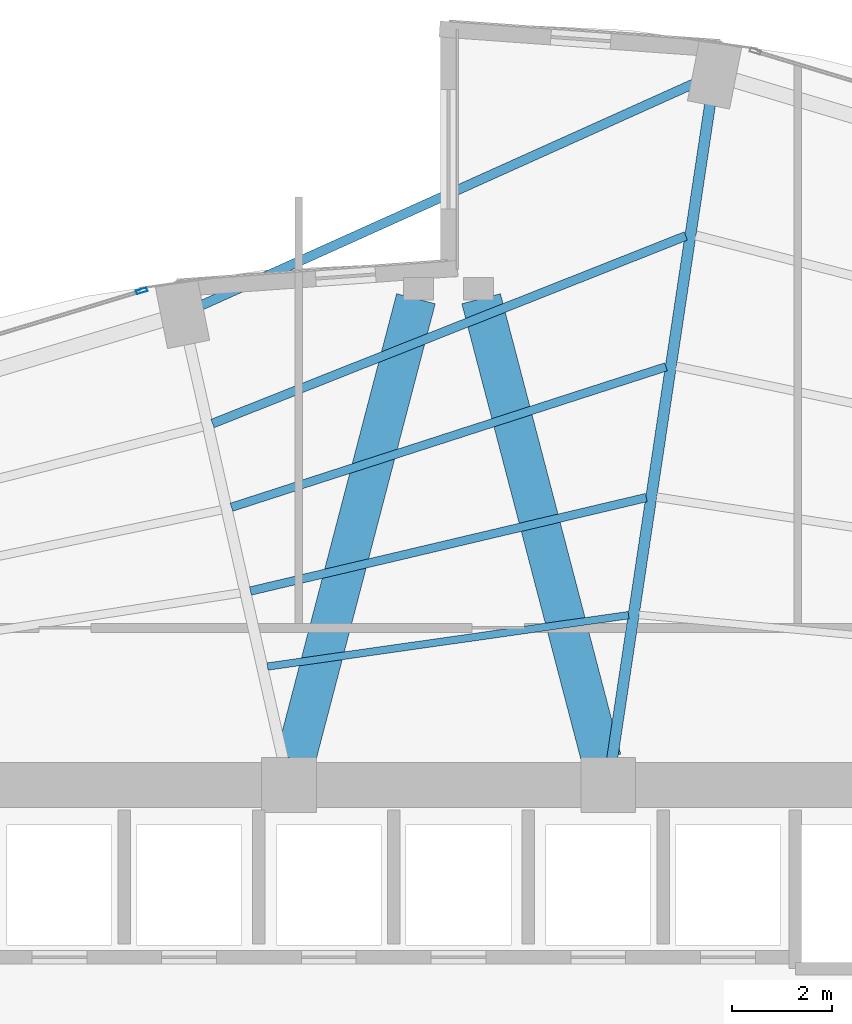
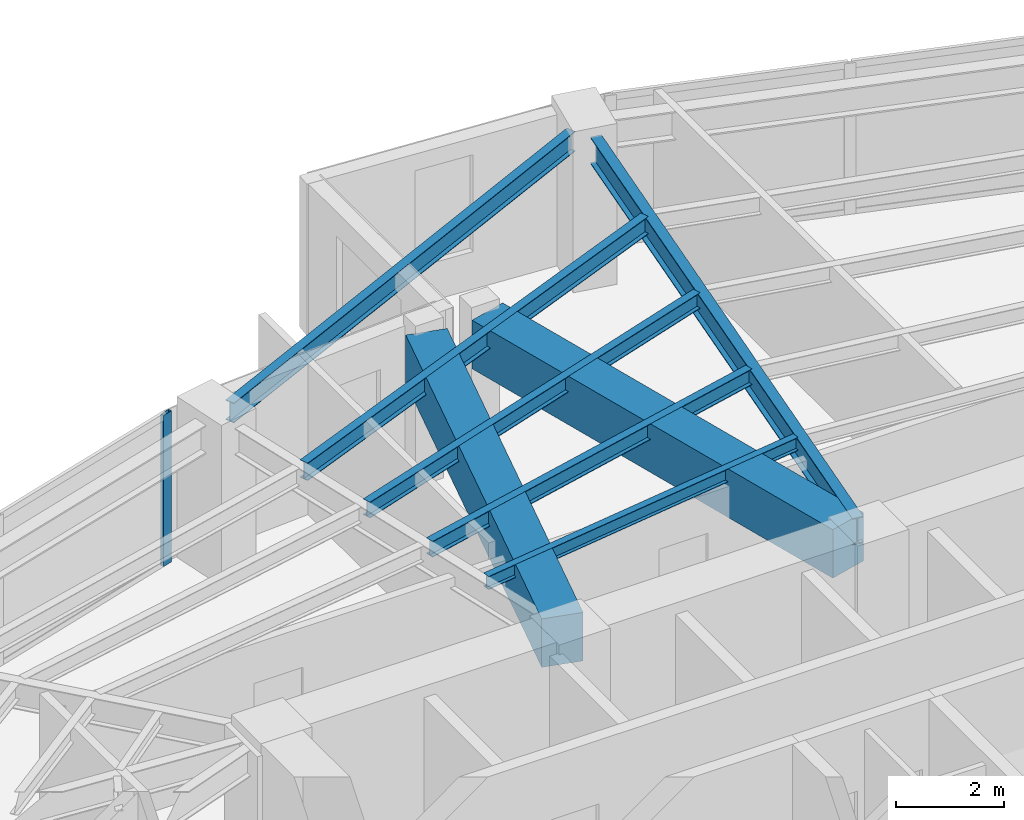
# One storey, part 15 of 24: 8 beams, 1 member, 1 element without a shape of its own.
"""IFC4 building model written with IfcOpenShell, lengths in metres."""

import ifcopenshell
import ifcopenshell.guid

model = None  # the IFC model being written
_history = None  # IfcOwnerHistory: only IFC2X3 demands one
_inside = {}  # id of a spatial element -> (the spatial element, [elements in it])
_under = {}  # id of a project, library or spatial element -> (it, [spatial elements below it])
_declared = {}  # id of a project -> (the project, [libraries it declares])
_typed = {}  # id of a type object -> (the type object, [elements of that type])
_made_of = {}  # id of a material, layer set ... -> (it, [elements and type objects made of it])


def new_model(schema):
    """Start an empty IFC model of exactly this schema.

    Asked for "IFC4X3", IfcOpenShell would pick the latest addendum, in which some entities
    have other attributes; the version numbers below select the first issue.
    IFC2X3 requires an IfcOwnerHistory on every rooted entity: one is made here for all.
    """
    global model, _history
    if schema == "IFC4X3":
        model = ifcopenshell.file(schema_version=(4, 3, 0, 0))
    else:
        model = ifcopenshell.file(schema=schema)
    _inside.clear()
    _under.clear()
    _declared.clear()
    _typed.clear()
    _made_of.clear()
    _history = None
    if model.schema == "IFC2X3":
        org = make("IfcOrganization", Name="unknown")
        user = make(
            "IfcPersonAndOrganization",
            ThePerson=make("IfcPerson", FamilyName="unknown"),
            TheOrganization=org,
        )
        app = make(
            "IfcApplication",
            ApplicationDeveloper=org,
            Version="unknown",
            ApplicationFullName="unknown",
            ApplicationIdentifier="unknown",
        )
        _history = make(
            "IfcOwnerHistory",
            OwningUser=user,
            OwningApplication=app,
            ChangeAction="ADDED",
            CreationDate=0,
        )
    return model


def make(cls, **values):
    """One entity of the class cls with the attributes given. An attribute that is None is left unset."""
    return model.create_entity(
        cls, **{name: value for name, value in values.items() if value is not None}
    )


def rooted(cls, **values):
    """An entity with a GlobalId (a new one), such as an element, a storey or a relation."""
    return make(cls, GlobalId=ifcopenshell.guid.new(), OwnerHistory=_history, **values)


def si_unit(unit_type, name, prefix=None):
    """IfcSIUnit, for example si_unit("LENGTHUNIT", "METRE", prefix="MILLI")."""
    return make("IfcSIUnit", UnitType=unit_type, Prefix=prefix, Name=name)


def assignment(units):
    """IfcUnitAssignment: the units of a project."""
    return None if units is None else make("IfcUnitAssignment", Units=units)


def point(xyz):
    """IfcCartesianPoint."""
    return None if xyz is None else make("IfcCartesianPoint", Coordinates=xyz)


def direction(xyz):
    """IfcDirection."""
    return None if xyz is None else make("IfcDirection", DirectionRatios=xyz)


def frame(location, z_axis=None, x_axis=None):
    """IfcAxis2Placement3D, a coordinate frame: its origin and axes. An axis left out is left unset."""
    return make(
        "IfcAxis2Placement3D",
        Location=point(location),
        Axis=direction(z_axis),
        RefDirection=direction(x_axis),
    )


def frame_2d(location, x_axis=None):
    """IfcAxis2Placement2D, a coordinate frame in the plane: its origin and x axis."""
    return make(
        "IfcAxis2Placement2D", Location=point(location), RefDirection=direction(x_axis)
    )


def origin():
    """The frame at (0, 0, 0) with its axes left unset."""
    return frame((0.0, 0.0, 0.0))


def origin_2d():
    """The frame at (0, 0) in the plane with its x axis left unset."""
    return frame_2d((0.0, 0.0))


def place(relative_to, where):
    """IfcLocalPlacement: puts the frame where relative to a parent placement (None: the world)."""
    return make(
        "IfcLocalPlacement", PlacementRelTo=relative_to, RelativePlacement=where
    )


def context(
    kind, dimensions, precision=None, world=None, true_north=None, identifier=None
):
    """IfcGeometricRepresentationContext, for example the 3D "Model" context."""
    return make(
        "IfcGeometricRepresentationContext",
        ContextIdentifier=identifier,
        ContextType=kind,
        CoordinateSpaceDimension=dimensions,
        Precision=precision,
        WorldCoordinateSystem=world,
        TrueNorth=true_north,
    )


def subcontext(parent, identifier, kind, view, scale=None):
    """IfcGeometricRepresentationSubContext, for example "Body" below "Model"."""
    return make(
        "IfcGeometricRepresentationSubContext",
        ContextIdentifier=identifier,
        ContextType=kind,
        ParentContext=parent,
        TargetScale=scale,
        TargetView=view,
    )


def project(units=None, contexts=None):
    """IfcProject with its units and contexts."""
    return rooted(
        "IfcProject",
        Name="project",
        RepresentationContexts=contexts,
        UnitsInContext=assignment(units),
    )


def spatial(cls, under=None, at=None, **own):
    """A site, building, storey or space (cls), placed at a placement, below another one or the project."""
    s = rooted(cls, ObjectPlacement=at, **own)
    if under is not None:
        _under.setdefault(under.id(), (under, []))[1].append(s)
    return s


def profile(cls, at=None, kind="AREA", **sizes):
    """A parametric profile (cls). Its sizes go by their IFC names, for example OverallWidth=200.0."""
    return make(cls, ProfileType=kind, Position=at, **sizes)


def rectangle(**sizes):
    """IfcRectangleProfileDef."""
    return profile("IfcRectangleProfileDef", **sizes)


def hollow_rectangle(**sizes):
    """IfcRectangleHollowProfileDef."""
    return profile("IfcRectangleHollowProfileDef", **sizes)


def i_section(**sizes):
    """IfcIShapeProfileDef."""
    return profile("IfcIShapeProfileDef", **sizes)


def extrude(swept, where, along, depth):
    """IfcExtrudedAreaSolid: the profile swept, set in the frame where, extruded along a direction by depth."""
    return make(
        "IfcExtrudedAreaSolid",
        SweptArea=swept,
        Position=where,
        ExtrudedDirection=direction(along),
        Depth=depth,
    )


def shape(context_of_items, identifier, shape_type, items):
    """IfcShapeRepresentation: the items that make up one representation, for example the "Body"."""
    return make(
        "IfcShapeRepresentation",
        ContextOfItems=context_of_items,
        RepresentationIdentifier=identifier,
        RepresentationType=shape_type,
        Items=items,
    )


def material(Name=None, Category=None):
    """IfcMaterial."""
    return make("IfcMaterial", Name=Name, Category=Category)


def layer(
    of_material, thickness, ventilated=None, Name=None, Category=None, Priority=None
):
    """IfcMaterialLayer: one layer of a wall or slab, of a material (None: an air gap)."""
    return make(
        "IfcMaterialLayer",
        Material=of_material,
        LayerThickness=thickness,
        IsVentilated=ventilated,
        Name=Name,
        Category=Category,
        Priority=Priority,
    )


def layer_set(layers, Name=None):
    """IfcMaterialLayerSet."""
    return make("IfcMaterialLayerSet", MaterialLayers=layers, LayerSetName=Name)


def material_profile(
    of_material, cross_section, Name=None, Category=None, Priority=None
):
    """IfcMaterialProfile: a cross section and its material."""
    return make(
        "IfcMaterialProfile",
        Name=Name,
        Material=of_material,
        Profile=cross_section,
        Priority=Priority,
        Category=Category,
    )


def profile_set(profiles, Name=None, composite=None):
    """IfcMaterialProfileSet."""
    return make(
        "IfcMaterialProfileSet",
        Name=Name,
        MaterialProfiles=profiles,
        CompositeProfile=composite,
    )


def made_of(thing, what):
    """Note that an element or type object is made of a material, layer set ...; save() writes the relation."""
    if what is not None:
        _made_of.setdefault(what.id(), (what, []))[1].append(thing)
    return thing


def type_object(cls, material=None, **own):
    """A type object (cls), such as IfcWallType, which elements share."""
    return made_of(rooted(cls, **own), material)


def element(
    cls,
    number,
    at=None,
    inside=None,
    cuts=None,
    type_object=None,
    material=None,
    context=None,
    identifier="Body",
    shape_type=None,
    held_by="IfcProductDefinitionShape",
    body=None,
    shapes=None,
    **own,
):
    """One element of the class cls, such as IfcWall. Its Tag is "e" and its number.

    at: its placement. inside: the storey or other place that contains it. cuts: it is an
    opening in that element (IfcRelVoidsElement). A single representation is given by context,
    identifier, shape_type and body (its items); several are given by shapes. held_by: the class
    of the entity that holds the representations. save() writes the other relations.
    """
    e = rooted(cls, Tag="e%d" % number, ObjectPlacement=at, **own)
    if body is not None:
        shapes = [shape(context, identifier, shape_type, body)]
    if shapes is not None:
        e.Representation = make(held_by, Representations=shapes)
    if inside is not None:
        _inside.setdefault(inside.id(), (inside, []))[1].append(e)
    if cuts is not None:
        rooted(
            "IfcRelVoidsElement", RelatingBuildingElement=cuts, RelatedOpeningElement=e
        )
    if type_object is not None:
        _typed.setdefault(type_object.id(), (type_object, []))[1].append(e)
    return made_of(e, material)


def aggregate(whole, parts):
    """IfcRelAggregates: a whole, such as a stair, and the parts it consists of."""
    return rooted("IfcRelAggregates", RelatingObject=whole, RelatedObjects=parts)


def save(model, path):
    """Write the relations noted so far, then the file.

    IfcRelAggregates (storeys below a building ...), IfcRelContainedInSpatialStructure (elements
    in a storey), IfcRelDefinesByType, IfcRelAssociatesMaterial and IfcRelDeclares: one each for
    every whole, place, type object, material and project.
    """
    for whole, parts in _under.values():
        aggregate(whole, parts)
    for where, things in _inside.values():
        rooted(
            "IfcRelContainedInSpatialStructure",
            RelatedElements=things,
            RelatingStructure=where,
        )
    for kind, things in _typed.values():
        rooted("IfcRelDefinesByType", RelatedObjects=things, RelatingType=kind)
    for what, things in _made_of.values():
        rooted("IfcRelAssociatesMaterial", RelatedObjects=things, RelatingMaterial=what)
    for by, libraries in _declared.values():
        rooted("IfcRelDeclares", RelatingContext=by, RelatedDefinitions=libraries)
    model.write(path)


model = new_model("IFC4")

# Units and contexts
model_context = context("Model", 3, precision=1e-05, world=origin(), true_north=direction((0.0, 1.0)))
body_context = subcontext(model_context, "Body", "Model", "MODEL_VIEW")
ifc_project = project(units=[si_unit("LENGTHUNIT", "METRE"), si_unit("AREAUNIT", "SQUARE_METRE"), si_unit("VOLUMEUNIT", "CUBIC_METRE"), si_unit("PLANEANGLEUNIT", "RADIAN"), si_unit("MASSUNIT", "GRAM", prefix="KILO")], contexts=[model_context])

# Site, building, storey
site_placement = place(None, origin())
site = spatial("IfcSite", under=ifc_project, at=site_placement, CompositionType="ELEMENT")
building_placement = place(site_placement, origin())
building = spatial("IfcBuilding", under=site, at=building_placement, Name="Lazwardi Medical Tower", CompositionType="ELEMENT")
storey_placement = place(building_placement, frame((0.0, 0.0, 39.7919921875)))
storey = spatial("IfcBuildingStorey", under=building, at=storey_placement, Name="L09", CompositionType="ELEMENT", Elevation=39.7919921875)

# Beams
ifc_material_1 = material(Name="Concrete C70/85", Category="concrete")
ifc_material_profile_1 = material_profile(ifc_material_1, rectangle(XDim=0.800048828125, YDim=1.10009765625, at=origin_2d()), Name="RC 800x1100")
ifc_profile_set_1 = profile_set([ifc_material_profile_1], Name="Concrete C70/85")
beam_type_1 = type_object("IfcBeamType", Name="BM-CB-RC1", PredefinedType="LINTEL", material=ifc_profile_set_1)
for number, where, z_axis, x_axis, name in (
    (1, (32.935302734375, 36.11767578125, 2.8779296875), (0.252819877511, 0.967513364009, 0.0), (-0.967513364009, 0.252819877511, 0.0), "Core coupling lintel CB-01 PL1 L09"),
    (2, (39.064697265625, 36.11767578125, 2.8779296875), (-0.252819877511, 0.967513364009, 0.0), (-0.967513364009, -0.252819877511, 0.0), "Core coupling lintel CB-01 PL2 L09"),
):
    element("IfcBeam", number, at=place(storey_placement, frame(where, z_axis=z_axis, x_axis=x_axis)), inside=storey, type_object=beam_type_1, Name=name, PredefinedType="LINTEL", context=body_context, shape_type="SweptSolid", body=[
        extrude(rectangle(XDim=0.800048828125, YDim=1.10009765625, at=origin_2d()), origin(), (0.0, 0.0, 1.0), 9.538818359375),
    ])
ifc_material_2 = material(Name="Steel S355", Category="steel")
ifc_material_profile_2 = material_profile(ifc_material_2, i_section(OverallWidth=0.219970703125, OverallDepth=0.60009765625, WebThickness=0.011962890625, FlangeThickness=0.01904296875, at=origin_2d()), Name="IPE 600")
ifc_profile_set_2 = profile_set([ifc_material_profile_2], Name="Steel S355")
beam_type_2 = type_object("IfcBeamType", Name="BM-RG-W1", PredefinedType="BEAM", material=ifc_profile_set_2)
beam_1_placement = place(storey_placement, frame((41.2451171875, 49.2705078125, 3.1279296875), z_axis=(-0.147944218183, -0.98899570692, 0.0), x_axis=(0.98899570692, -0.147944218183, 0.0)))
element("IfcBeam", 3, at=beam_1_placement, inside=storey, type_object=beam_type_2, Name="Radial girder RG-02 R08 L09", PredefinedType="BEAM", context=body_context, shape_type="SweptSolid", body=[
    extrude(i_section(OverallWidth=0.219970703125, OverallDepth=0.60009765625, WebThickness=0.011962890625, FlangeThickness=0.01904296875, at=origin_2d()), origin(), (0.0, 0.0, 1.0), 13.28759765625),
])
ifc_material_profile_3 = material_profile(ifc_material_2, i_section(OverallWidth=0.179931640625, OverallDepth=0.39990234375, WebThickness=0.008544921875, FlangeThickness=0.013427734375, at=origin_2d()), Name="IPE 400")
ifc_profile_set_3 = profile_set([ifc_material_profile_3], Name="Steel S355")
beam_type_3 = type_object("IfcBeamType", Name="BM-SJ-01", PredefinedType="JOIST", material=ifc_profile_set_3)
beam_2_placement = place(storey_placement, frame((40.754150390625, 46.603515625, 3.22802734375), z_axis=(-0.929663713752, -0.368409255222, 0.0), x_axis=(0.368409255222, -0.929663713752, 0.0)))
element("IfcBeam", 4, at=beam_2_placement, inside=storey, type_object=beam_type_3, Name="Secondary joist SJ-01 R1 B08 L09", PredefinedType="JOIST", context=body_context, shape_type="SweptSolid", body=[
    extrude(i_section(OverallWidth=0.179931640625, OverallDepth=0.39990234375, WebThickness=0.008544921875, FlangeThickness=0.013427734375, at=origin_2d()), origin(), (0.0, 0.0, 1.0), 10.2001953125),
])
ifc_material_profile_4 = material_profile(ifc_material_2, i_section(OverallWidth=0.169921875, OverallDepth=0.360107421875, WebThickness=0.008056640625, FlangeThickness=0.0126953125, at=origin_2d()), Name="IPE 360")
ifc_profile_set_4 = profile_set([ifc_material_profile_4], Name="Steel S355")
beam_type_4 = type_object("IfcBeamType", Name="BM-SJ-02", PredefinedType="JOIST", material=ifc_profile_set_4)
beam_3_placement = place(storey_placement, frame((40.35888671875, 43.981689453125, 3.248046875), z_axis=(-0.951558895485, -0.307466532199, 0.0), x_axis=(0.307466532199, -0.951558895485, 0.0)))
element("IfcBeam", 5, at=beam_3_placement, inside=storey, type_object=beam_type_4, Name="Secondary joist SJ-02 R2 B08 L09", PredefinedType="JOIST", context=body_context, shape_type="SweptSolid", body=[
    extrude(i_section(OverallWidth=0.169921875, OverallDepth=0.360107421875, WebThickness=0.008056640625, FlangeThickness=0.0126953125, at=origin_2d()), origin(), (0.0, 0.0, 1.0), 9.1513671875),
])
beam_4_placement = place(storey_placement, frame((39.96337890625, 41.361572265625, 3.248046875), z_axis=(-0.973240904247, -0.229787167397, 0.0), x_axis=(0.229787167397, -0.973240904247, 0.0)))
element("IfcBeam", 6, at=beam_4_placement, inside=storey, type_object=beam_type_4, Name="Secondary joist SJ-02 R3 B08 L09", PredefinedType="JOIST", context=body_context, shape_type="SweptSolid", body=[
    extrude(i_section(OverallWidth=0.169921875, OverallDepth=0.360107421875, WebThickness=0.008056640625, FlangeThickness=0.0126953125, at=origin_2d()), origin(), (0.0, 0.0, 1.0), 8.151123046875),
])
ifc_material_profile_5 = material_profile(ifc_material_2, i_section(OverallWidth=0.14990234375, OverallDepth=0.300048828125, WebThickness=0.007080078125, FlangeThickness=0.0107421875, at=origin_2d()), Name="IPE 300")
ifc_profile_set_5 = profile_set([ifc_material_profile_5], Name="Steel S355")
beam_type_5 = type_object("IfcBeamType", Name="BM-SJ-03", PredefinedType="JOIST", material=ifc_profile_set_5)
beam_5_placement = place(storey_placement, frame((39.607666015625, 39.00537109375, 3.278076171875), z_axis=(-0.99001552228, -0.140958382672, 0.0), x_axis=(0.140958382672, -0.99001552228, 0.0)))
element("IfcBeam", 7, at=beam_5_placement, inside=storey, type_object=beam_type_5, Name="Secondary joist SJ-03 R4 B08 L09", PredefinedType="JOIST", context=body_context, shape_type="SweptSolid", body=[
    extrude(i_section(OverallWidth=0.14990234375, OverallDepth=0.300048828125, WebThickness=0.007080078125, FlangeThickness=0.0107421875, at=origin_2d()), origin(), (0.0, 0.0, 1.0), 7.30908203125),
])
ifc_material_profile_6 = material_profile(ifc_material_2, i_section(OverallWidth=0.18994140625, OverallDepth=0.449951171875, WebThickness=0.009521484375, FlangeThickness=0.0146484375, at=origin_2d()), Name="IPE 450")
ifc_profile_set_6 = profile_set([ifc_material_profile_6], Name="Steel S355")
beam_type_6 = type_object("IfcBeamType", Name="BM-SP-01", PredefinedType="SPANDREL", material=ifc_profile_set_6)
beam_6_placement = place(storey_placement, frame((40.94775390625, 49.671630859375, 3.203125), z_axis=(-0.91184908894, -0.410525564368, 0.0), x_axis=(0.410525564368, -0.91184908894, 0.0)))
element("IfcBeam", 8, at=beam_6_placement, inside=storey, type_object=beam_type_6, Name="Spandrel beam SP-01 B08 L09", PredefinedType="SPANDREL", context=body_context, shape_type="SweptSolid", body=[
    extrude(i_section(OverallWidth=0.18994140625, OverallDepth=0.449951171875, WebThickness=0.009521484375, FlangeThickness=0.0146484375, at=origin_2d()), origin(), (0.0, 0.0, 1.0), 10.85205078125),
])

# Curtain wall, member
ifc_material_3 = material(Name="Anodised bronze aluminium and solar control glazing", Category="aluminium")
ifc_layer = layer(ifc_material_3, 0.199951171875)
ifc_layer_set = layer_set([ifc_layer], Name="Anodised bronze aluminium and solar control glazing")
curtain_wall_type = type_object("IfcCurtainWallType", Name="CW-SYS-02", PredefinedType="NOTDEFINED", material=ifc_layer_set)
curtain_wall_placement = place(storey_placement, origin())
curtain_wall = element("IfcCurtainWall", 9, at=curtain_wall_placement, inside=storey, type_object=curtain_wall_type, Name="L09 Unitised bronze curtain wall CW-02", PredefinedType="NOTDEFINED")
ifc_material_4 = material(Name="Anodised bronze aluminium", Category="aluminium")
ifc_material_profile_7 = material_profile(ifc_material_4, hollow_rectangle(XDim=0.074951171875, YDim=0.219970703125, WallThickness=0.00390625, at=origin_2d()), Name="ALU-MULLION 220x75x4")
ifc_profile_set_7 = profile_set([ifc_material_profile_7], Name="Anodised bronze aluminium")
member_type = type_object("IfcMemberType", Name="CW-MUL-01", PredefinedType="MULLION", material=ifc_profile_set_7)
member_placement = place(storey_placement, frame((29.85205078125, 45.503662109375, 0.0), z_axis=(0.0, 0.0, 1.0), x_axis=(0.2898956909, -0.957058247129, 0.0)))
member = element("IfcMember", 10, at=member_placement, type_object=member_type, Name="CW-02 mullion 1", PredefinedType="MULLION", context=body_context, shape_type="SweptSolid", body=[
    extrude(hollow_rectangle(XDim=0.074951171875, YDim=0.219970703125, WallThickness=0.00390625, at=origin_2d()), origin(), (0.0, 0.0, 1.0), 3.427978515625),
])
aggregate(curtain_wall, [member])

save(model, "model.ifc")
